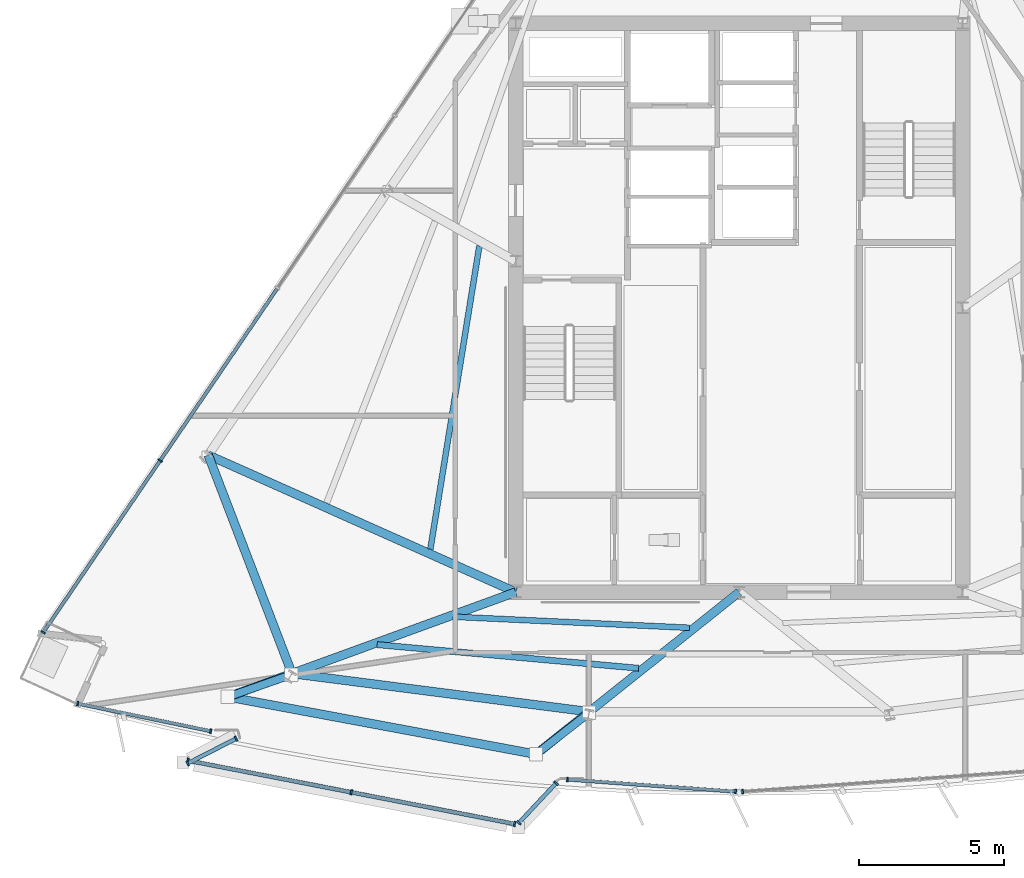
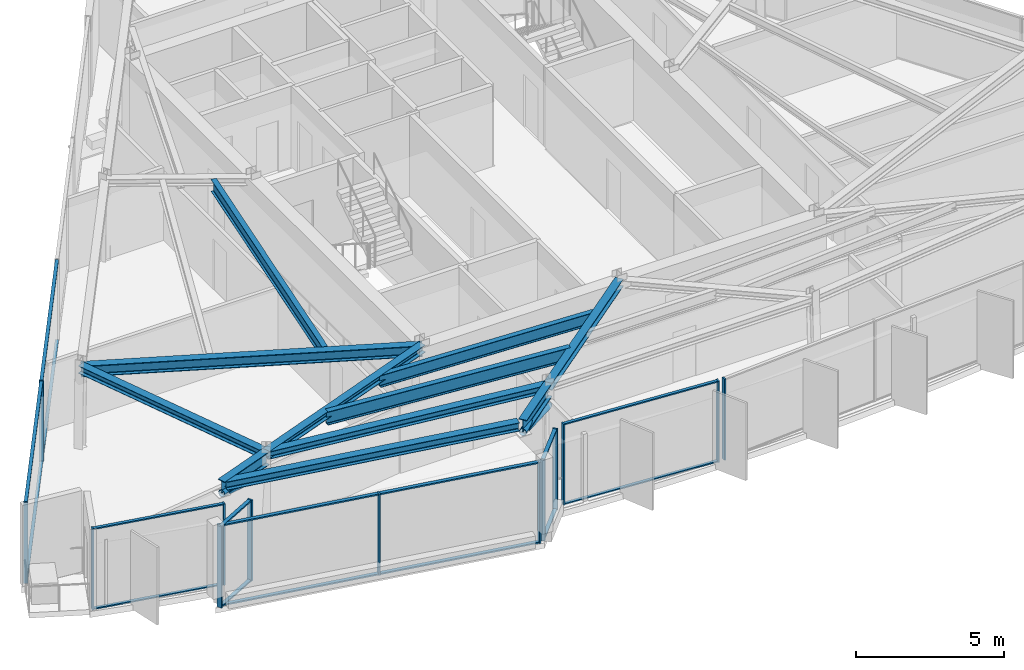
# One storey, part 2 of 13: 32 members, 11 beams, 7 elements without a shape of their own.
"""IFC4 building model written with IfcOpenShell, lengths in metres."""

import ifcopenshell
import ifcopenshell.guid

model = None  # the IFC model being written
_history = None  # IfcOwnerHistory: only IFC2X3 demands one
_inside = {}  # id of a spatial element -> (the spatial element, [elements in it])
_under = {}  # id of a project, library or spatial element -> (it, [spatial elements below it])
_declared = {}  # id of a project -> (the project, [libraries it declares])
_typed = {}  # id of a type object -> (the type object, [elements of that type])
_made_of = {}  # id of a material, layer set ... -> (it, [elements and type objects made of it])


def new_model(schema):
    """Start an empty IFC model of exactly this schema.

    Asked for "IFC4X3", IfcOpenShell would pick the latest addendum, in which some entities
    have other attributes; the version numbers below select the first issue.
    IFC2X3 requires an IfcOwnerHistory on every rooted entity: one is made here for all.
    """
    global model, _history
    if schema == "IFC4X3":
        model = ifcopenshell.file(schema_version=(4, 3, 0, 0))
    else:
        model = ifcopenshell.file(schema=schema)
    _inside.clear()
    _under.clear()
    _declared.clear()
    _typed.clear()
    _made_of.clear()
    _history = None
    if model.schema == "IFC2X3":
        org = make("IfcOrganization", Name="unknown")
        user = make(
            "IfcPersonAndOrganization",
            ThePerson=make("IfcPerson", FamilyName="unknown"),
            TheOrganization=org,
        )
        app = make(
            "IfcApplication",
            ApplicationDeveloper=org,
            Version="unknown",
            ApplicationFullName="unknown",
            ApplicationIdentifier="unknown",
        )
        _history = make(
            "IfcOwnerHistory",
            OwningUser=user,
            OwningApplication=app,
            ChangeAction="ADDED",
            CreationDate=0,
        )
    return model


def make(cls, **values):
    """One entity of the class cls with the attributes given. An attribute that is None is left unset."""
    return model.create_entity(
        cls, **{name: value for name, value in values.items() if value is not None}
    )


def rooted(cls, **values):
    """An entity with a GlobalId (a new one), such as an element, a storey or a relation."""
    return make(cls, GlobalId=ifcopenshell.guid.new(), OwnerHistory=_history, **values)


def si_unit(unit_type, name, prefix=None):
    """IfcSIUnit, for example si_unit("LENGTHUNIT", "METRE", prefix="MILLI")."""
    return make("IfcSIUnit", UnitType=unit_type, Prefix=prefix, Name=name)


def assignment(units):
    """IfcUnitAssignment: the units of a project."""
    return None if units is None else make("IfcUnitAssignment", Units=units)


def point(xyz):
    """IfcCartesianPoint."""
    return None if xyz is None else make("IfcCartesianPoint", Coordinates=xyz)


def direction(xyz):
    """IfcDirection."""
    return None if xyz is None else make("IfcDirection", DirectionRatios=xyz)


def frame(location, z_axis=None, x_axis=None):
    """IfcAxis2Placement3D, a coordinate frame: its origin and axes. An axis left out is left unset."""
    return make(
        "IfcAxis2Placement3D",
        Location=point(location),
        Axis=direction(z_axis),
        RefDirection=direction(x_axis),
    )


def frame_2d(location, x_axis=None):
    """IfcAxis2Placement2D, a coordinate frame in the plane: its origin and x axis."""
    return make(
        "IfcAxis2Placement2D", Location=point(location), RefDirection=direction(x_axis)
    )


def origin():
    """The frame at (0, 0, 0) with its axes left unset."""
    return frame((0.0, 0.0, 0.0))


def origin_2d():
    """The frame at (0, 0) in the plane with its x axis left unset."""
    return frame_2d((0.0, 0.0))


def place(relative_to, where):
    """IfcLocalPlacement: puts the frame where relative to a parent placement (None: the world)."""
    return make(
        "IfcLocalPlacement", PlacementRelTo=relative_to, RelativePlacement=where
    )


def context(
    kind, dimensions, precision=None, world=None, true_north=None, identifier=None
):
    """IfcGeometricRepresentationContext, for example the 3D "Model" context."""
    return make(
        "IfcGeometricRepresentationContext",
        ContextIdentifier=identifier,
        ContextType=kind,
        CoordinateSpaceDimension=dimensions,
        Precision=precision,
        WorldCoordinateSystem=world,
        TrueNorth=true_north,
    )


def subcontext(parent, identifier, kind, view, scale=None):
    """IfcGeometricRepresentationSubContext, for example "Body" below "Model"."""
    return make(
        "IfcGeometricRepresentationSubContext",
        ContextIdentifier=identifier,
        ContextType=kind,
        ParentContext=parent,
        TargetScale=scale,
        TargetView=view,
    )


def project(units=None, contexts=None):
    """IfcProject with its units and contexts."""
    return rooted(
        "IfcProject",
        Name="project",
        RepresentationContexts=contexts,
        UnitsInContext=assignment(units),
    )


def spatial(cls, under=None, at=None, **own):
    """A site, building, storey or space (cls), placed at a placement, below another one or the project."""
    s = rooted(cls, ObjectPlacement=at, **own)
    if under is not None:
        _under.setdefault(under.id(), (under, []))[1].append(s)
    return s


def profile(cls, at=None, kind="AREA", **sizes):
    """A parametric profile (cls). Its sizes go by their IFC names, for example OverallWidth=200.0."""
    return make(cls, ProfileType=kind, Position=at, **sizes)


def rectangle(**sizes):
    """IfcRectangleProfileDef."""
    return profile("IfcRectangleProfileDef", **sizes)


def hollow_circle(**sizes):
    """IfcCircleHollowProfileDef."""
    return profile("IfcCircleHollowProfileDef", **sizes)


def i_section(**sizes):
    """IfcIShapeProfileDef."""
    return profile("IfcIShapeProfileDef", **sizes)


def extrude(swept, where, along, depth):
    """IfcExtrudedAreaSolid: the profile swept, set in the frame where, extruded along a direction by depth."""
    return make(
        "IfcExtrudedAreaSolid",
        SweptArea=swept,
        Position=where,
        ExtrudedDirection=direction(along),
        Depth=depth,
    )


def shape(context_of_items, identifier, shape_type, items):
    """IfcShapeRepresentation: the items that make up one representation, for example the "Body"."""
    return make(
        "IfcShapeRepresentation",
        ContextOfItems=context_of_items,
        RepresentationIdentifier=identifier,
        RepresentationType=shape_type,
        Items=items,
    )


def material(Name=None, Category=None):
    """IfcMaterial."""
    return make("IfcMaterial", Name=Name, Category=Category)


def material_profile(
    of_material, cross_section, Name=None, Category=None, Priority=None
):
    """IfcMaterialProfile: a cross section and its material."""
    return make(
        "IfcMaterialProfile",
        Name=Name,
        Material=of_material,
        Profile=cross_section,
        Priority=Priority,
        Category=Category,
    )


def profile_set(profiles, Name=None, composite=None):
    """IfcMaterialProfileSet."""
    return make(
        "IfcMaterialProfileSet",
        Name=Name,
        MaterialProfiles=profiles,
        CompositeProfile=composite,
    )


def made_of(thing, what):
    """Note that an element or type object is made of a material, layer set ...; save() writes the relation."""
    if what is not None:
        _made_of.setdefault(what.id(), (what, []))[1].append(thing)
    return thing


def type_object(cls, material=None, **own):
    """A type object (cls), such as IfcWallType, which elements share."""
    return made_of(rooted(cls, **own), material)


def element(
    cls,
    number,
    at=None,
    inside=None,
    cuts=None,
    type_object=None,
    material=None,
    context=None,
    identifier="Body",
    shape_type=None,
    held_by="IfcProductDefinitionShape",
    body=None,
    shapes=None,
    **own,
):
    """One element of the class cls, such as IfcWall. Its Tag is "e" and its number.

    at: its placement. inside: the storey or other place that contains it. cuts: it is an
    opening in that element (IfcRelVoidsElement). A single representation is given by context,
    identifier, shape_type and body (its items); several are given by shapes. held_by: the class
    of the entity that holds the representations. save() writes the other relations.
    """
    e = rooted(cls, Tag="e%d" % number, ObjectPlacement=at, **own)
    if body is not None:
        shapes = [shape(context, identifier, shape_type, body)]
    if shapes is not None:
        e.Representation = make(held_by, Representations=shapes)
    if inside is not None:
        _inside.setdefault(inside.id(), (inside, []))[1].append(e)
    if cuts is not None:
        rooted(
            "IfcRelVoidsElement", RelatingBuildingElement=cuts, RelatedOpeningElement=e
        )
    if type_object is not None:
        _typed.setdefault(type_object.id(), (type_object, []))[1].append(e)
    return made_of(e, material)


def aggregate(whole, parts):
    """IfcRelAggregates: a whole, such as a stair, and the parts it consists of."""
    return rooted("IfcRelAggregates", RelatingObject=whole, RelatedObjects=parts)


def save(model, path):
    """Write the relations noted so far, then the file.

    IfcRelAggregates (storeys below a building ...), IfcRelContainedInSpatialStructure (elements
    in a storey), IfcRelDefinesByType, IfcRelAssociatesMaterial and IfcRelDeclares: one each for
    every whole, place, type object, material and project.
    """
    for whole, parts in _under.values():
        aggregate(whole, parts)
    for where, things in _inside.values():
        rooted(
            "IfcRelContainedInSpatialStructure",
            RelatedElements=things,
            RelatingStructure=where,
        )
    for kind, things in _typed.values():
        rooted("IfcRelDefinesByType", RelatedObjects=things, RelatingType=kind)
    for what, things in _made_of.values():
        rooted("IfcRelAssociatesMaterial", RelatedObjects=things, RelatingMaterial=what)
    for by, libraries in _declared.values():
        rooted("IfcRelDeclares", RelatingContext=by, RelatedDefinitions=libraries)
    model.write(path)


model = new_model("IFC4")

# Units and contexts
model_context = context("Model", 3, precision=1e-05, world=origin(), true_north=direction((0.0, 1.0)))
body_context = subcontext(model_context, "Body", "Model", "MODEL_VIEW")
ifc_project = project(units=[si_unit("LENGTHUNIT", "METRE"), si_unit("AREAUNIT", "SQUARE_METRE"), si_unit("VOLUMEUNIT", "CUBIC_METRE"), si_unit("PLANEANGLEUNIT", "RADIAN"), si_unit("MASSUNIT", "GRAM", prefix="KILO")], contexts=[model_context])

# Site, building, storey
site_placement = place(None, origin())
site = spatial("IfcSite", under=ifc_project, at=site_placement, CompositionType="ELEMENT")
building_placement = place(site_placement, origin())
building = spatial("IfcBuilding", under=site, at=building_placement, Name="Savorim Split Tower", CompositionType="ELEMENT")
storey_placement = place(building_placement, frame((0.0, 0.0, 272.39990234375)))
storey = spatial("IfcBuildingStorey", under=building, at=storey_placement, Name="L72", CompositionType="ELEMENT", Elevation=272.39990234375)

# Beams
ifc_material_1 = material(Name="Steel S355", Category="steel")
ifc_material_profile_1 = material_profile(ifc_material_1, i_section(OverallWidth=0.199951171875, OverallDepth=0.5, WebThickness=0.01025390625, FlangeThickness=0.01611328125, FilletRadius=0.02099609375, at=origin_2d()), Name="IPE 500")
ifc_profile_set_1 = profile_set([ifc_material_profile_1], Name="Steel S355")
beam_type_1 = type_object("IfcBeamType", Name="BM-JST-IPE500", PredefinedType="JOIST", material=ifc_profile_set_1)
beam_1_placement = place(storey_placement, frame((-9.85302734375, -10.24951171875, 3.10009765625), z_axis=(0.998915199967, -0.046566331983, 0.0), x_axis=(0.046566331983, 0.998915199967, 0.0)))
element("IfcBeam", 1, at=beam_1_placement, inside=storey, type_object=beam_type_1, Name="L72 Secondary Floor Joist JS-02", PredefinedType="JOIST", context=body_context, shape_type="SweptSolid", body=[
    extrude(i_section(OverallWidth=0.199951171875, OverallDepth=0.5, WebThickness=0.01025390625, FlangeThickness=0.01611328125, FilletRadius=0.02099609375, at=origin_2d()), origin(), (0.0, 0.0, 1.0), 8.152587890625),
])
beam_2_placement = place(storey_placement, frame((-8.95263671875, 2.529296875, 3.10009765625), z_axis=(-0.159538447655, -0.987191715788, 0.0), x_axis=(0.987191715788, -0.159538447655, 0.0)))
element("IfcBeam", 2, at=beam_2_placement, inside=storey, type_object=beam_type_1, Name="L72 Secondary Floor Joist JS-11", PredefinedType="JOIST", context=body_context, shape_type="SweptSolid", body=[
    extrude(i_section(OverallWidth=0.199951171875, OverallDepth=0.5, WebThickness=0.01025390625, FlangeThickness=0.01611328125, FilletRadius=0.02099609375, at=origin_2d()), origin(), (0.0, 0.0, 1.0), 10.5849609375),
])
ifc_material_profile_2 = material_profile(ifc_material_1, i_section(OverallWidth=0.2099609375, OverallDepth=0.550048828125, WebThickness=0.010986328125, FlangeThickness=0.01708984375, FilletRadius=0.02392578125, at=origin_2d()), Name="IPE 550")
ifc_profile_set_2 = profile_set([ifc_material_profile_2], Name="Steel S355")
beam_type_2 = type_object("IfcBeamType", Name="BM-JST-IPE550", PredefinedType="JOIST", material=ifc_profile_set_2)
beam_3_placement = place(storey_placement, frame((-12.474609375, -11.210693359375, 3.0751953125), z_axis=(0.995953812933, -0.089866581685, 0.0), x_axis=(0.089866581685, 0.995953812933, 0.0)))
element("IfcBeam", 3, at=beam_3_placement, inside=storey, type_object=beam_type_2, Name="L72 Secondary Floor Joist JS-01", PredefinedType="JOIST", context=body_context, shape_type="SweptSolid", body=[
    extrude(i_section(OverallWidth=0.2099609375, OverallDepth=0.550048828125, WebThickness=0.010986328125, FlangeThickness=0.01708984375, FilletRadius=0.02392578125, at=origin_2d()), origin(), (0.0, 0.0, 1.0), 9.046630859375),
])
ifc_material_profile_3 = material_profile(ifc_material_1, i_section(OverallWidth=0.300048828125, OverallDepth=0.300048828125, WebThickness=0.010986328125, FlangeThickness=0.01904296875, FilletRadius=0.027099609375, at=origin_2d()), Name="HEB 300")
ifc_profile_set_3 = profile_set([ifc_material_profile_3], Name="Steel S355")
beam_type_3 = type_object("IfcBeamType", Name="BM-PRI-HEB300", PredefinedType="BEAM", material=ifc_profile_set_3)
beam_4_placement = place(storey_placement, frame((-15.409423828125, -12.20654296875, 3.2001953125), z_axis=(0.939668250561, 0.342087092547, 0.0), x_axis=(-0.342087092547, 0.939668250561, 0.0)))
element("IfcBeam", 4, at=beam_4_placement, inside=storey, type_object=beam_type_3, Name="L72 Primary Floor Girder RG-01", PredefinedType="BEAM", context=body_context, shape_type="SweptSolid", body=[
    extrude(i_section(OverallWidth=0.300048828125, OverallDepth=0.300048828125, WebThickness=0.010986328125, FlangeThickness=0.01904296875, FilletRadius=0.027099609375, at=origin_2d()), origin(), (0.0, 0.0, 1.0), 8.204345703125),
])
beam_5_placement = place(storey_placement, frame((-5.16455078125, -13.521728515625, 3.2001953125), z_axis=(0.781592820708, 0.623788956794, 0.0), x_axis=(-0.623788956794, 0.781592820708, 0.0)))
element("IfcBeam", 5, at=beam_5_placement, inside=storey, type_object=beam_type_3, Name="L72 Primary Floor Girder RG-02", PredefinedType="BEAM", context=body_context, shape_type="SweptSolid", body=[
    extrude(i_section(OverallWidth=0.300048828125, OverallDepth=0.300048828125, WebThickness=0.010986328125, FlangeThickness=0.01904296875, FilletRadius=0.027099609375, at=origin_2d()), origin(), (0.0, 0.0, 1.0), 6.607666015625),
])
ifc_material_profile_4 = material_profile(ifc_material_1, i_section(OverallWidth=0.300048828125, OverallDepth=0.449951171875, WebThickness=0.013916015625, FlangeThickness=0.02587890625, FilletRadius=0.027099609375, at=origin_2d()), Name="HEB 450")
ifc_profile_set_4 = profile_set([ifc_material_profile_4], Name="Steel S355")
beam_type_4 = type_object("IfcBeamType", Name="BM-PRI-HEB450", PredefinedType="BEAM", material=ifc_profile_set_4)
beam_6_placement = place(storey_placement, frame((-18.2958984375, -4.678955078125, 3.125), z_axis=(0.913438836975, -0.406976032593, 0.0), x_axis=(0.406976032593, 0.913438836975, 0.0)))
element("IfcBeam", 6, at=beam_6_placement, inside=storey, type_object=beam_type_4, Name="L72 Primary Floor Girder RG-10", PredefinedType="BEAM", context=body_context, shape_type="SweptSolid", body=[
    extrude(i_section(OverallWidth=0.300048828125, OverallDepth=0.449951171875, WebThickness=0.013916015625, FlangeThickness=0.02587890625, FilletRadius=0.027099609375, at=origin_2d()), origin(), (0.0, 0.0, 1.0), 11.60009765625),
])
ifc_material_profile_5 = material_profile(ifc_material_1, i_section(OverallWidth=0.300048828125, OverallDepth=0.550048828125, WebThickness=0.014892578125, FlangeThickness=0.029052734375, FilletRadius=0.027099609375, at=origin_2d()), Name="HEB 550")
ifc_profile_set_5 = profile_set([ifc_material_profile_5], Name="Steel S355")
beam_type_5 = type_object("IfcBeamType", Name="BM-PRI-HEB550", PredefinedType="BEAM", material=ifc_profile_set_5)
for number, where, z_axis, x_axis, name in (
    (7, (-15.409423828125, -12.20654296875, 3.0751953125), (-0.939662926873, -0.342101715665, 0.0), (0.342101715665, -0.939662926873, 0.0), "L72 Cantilevered Lounge Rib 1"),
    (8, (-5.16455078125, -13.521728515625, 3.0751953125), (-0.781547419119, -0.623845839666, 0.0), (0.623845839666, -0.781547419119, 0.0), "L72 Cantilevered Lounge Rib 2"),
):
    element("IfcBeam", number, at=place(storey_placement, frame(where, z_axis=z_axis, x_axis=x_axis)), inside=storey, type_object=beam_type_5, Name=name, PredefinedType="BEAM", context=body_context, shape_type="SweptSolid", body=[
        extrude(i_section(OverallWidth=0.300048828125, OverallDepth=0.550048828125, WebThickness=0.014892578125, FlangeThickness=0.029052734375, FilletRadius=0.027099609375, at=origin_2d()), origin(), (0.0, 0.0, 1.0), 2.35009765625),
    ])
ifc_material_profile_6 = material_profile(ifc_material_1, i_section(OverallWidth=0.300048828125, OverallDepth=0.31005859375, WebThickness=0.009033203125, FlangeThickness=0.015380859375, FilletRadius=0.027099609375, at=origin_2d()), Name="HEA 320")
ifc_profile_set_6 = profile_set([ifc_material_profile_6], Name="Steel S355")
beam_type_6 = type_object("IfcBeamType", Name="BM-SPN-HEA320", PredefinedType="SPANDREL", material=ifc_profile_set_6)
beam_7_placement = place(storey_placement, frame((-15.409423828125, -12.20654296875, 3.195068359375), z_axis=(0.991860399348, -0.127330075812, 0.0), x_axis=(0.127330075812, 0.991860399348, 0.0)))
element("IfcBeam", 9, at=beam_7_placement, inside=storey, type_object=beam_type_6, Name="L72 Perimeter Spandrel Beam 1", PredefinedType="SPANDREL", context=body_context, shape_type="SweptSolid", body=[
    extrude(i_section(OverallWidth=0.300048828125, OverallDepth=0.31005859375, WebThickness=0.009033203125, FlangeThickness=0.015380859375, FilletRadius=0.027099609375, at=origin_2d()), origin(), (0.0, 0.0, 1.0), 10.328857421875),
])
beam_8_placement = place(storey_placement, frame((-18.2958984375, -4.678955078125, 3.195068359375), z_axis=(0.358033260747, -0.933708832666, 0.0), x_axis=(0.933708832666, 0.358033260747, 0.0)))
element("IfcBeam", 10, at=beam_8_placement, inside=storey, type_object=beam_type_6, Name="L72 Perimeter Spandrel Beam 10", PredefinedType="SPANDREL", context=body_context, shape_type="SweptSolid", body=[
    extrude(i_section(OverallWidth=0.300048828125, OverallDepth=0.31005859375, WebThickness=0.009033203125, FlangeThickness=0.015380859375, FilletRadius=0.027099609375, at=origin_2d()), origin(), (0.0, 0.0, 1.0), 8.06201171875),
])
ifc_material_profile_7 = material_profile(ifc_material_1, i_section(OverallWidth=0.300048828125, OverallDepth=0.35009765625, WebThickness=0.010009765625, FlangeThickness=0.017578125, FilletRadius=0.027099609375, at=origin_2d()), Name="HEA 360")
ifc_profile_set_7 = profile_set([ifc_material_profile_7], Name="Steel S355")
beam_type_7 = type_object("IfcBeamType", Name="BM-SPN-HEA360", PredefinedType="SPANDREL", material=ifc_profile_set_7)
beam_9_placement = place(storey_placement, frame((-17.460205078125, -13.039794921875, 3.175048828125), z_axis=(0.983094078316, -0.183101155595, 0.0), x_axis=(0.183101155595, 0.983094078316, 0.0)))
element("IfcBeam", 11, at=beam_9_placement, inside=storey, type_object=beam_type_7, Name="L72 Cantilevered Lounge Front Edge Beam", PredefinedType="SPANDREL", context=body_context, shape_type="SweptSolid", body=[
    extrude(i_section(OverallWidth=0.300048828125, OverallDepth=0.35009765625, WebThickness=0.010009765625, FlangeThickness=0.017578125, FilletRadius=0.027099609375, at=origin_2d()), origin(), (0.0, 0.0, 1.0), 10.47900390625),
])

# Curtain wall, members
ifc_material_2 = material(Name="Dark Ceramic-Fritted Insulated Glass", Category="glass")
curtain_wall_type_1 = type_object("IfcCurtainWallType", Name="CW-TWR-FRIT-B", PredefinedType="NOTDEFINED", material=ifc_material_2)
curtain_wall_1_placement = place(storey_placement, origin())
curtain_wall_1 = element("IfcCurtainWall", 12, at=curtain_wall_1_placement, inside=storey, type_object=curtain_wall_type_1, Name="L72 Curtain Wall CW-L72-SF1A", PredefinedType="NOTDEFINED")
ifc_material_3 = material(Name="Charcoal Anodised Aluminium", Category="aluminium")
ifc_material_profile_8 = material_profile(ifc_material_3, rectangle(XDim=0.159912109375, YDim=0.06005859375, at=origin_2d()), Name="ALU-M 160x60")
ifc_profile_set_8 = profile_set([ifc_material_profile_8], Name="Charcoal Anodised Aluminium")
member_type_1 = type_object("IfcMemberType", Name="CWM-160x60", PredefinedType="MULLION", material=ifc_profile_set_8)
member_1_placement = place(storey_placement, frame((-22.79541015625, -13.24169921875, 0.0), z_axis=(0.0, 0.0, 1.0), x_axis=(0.203206540915, 0.979135895435, 0.0)))
member_1 = element("IfcMember", 13, at=member_1_placement, type_object=member_type_1, Name="CW-03 mullion 1", PredefinedType="MULLION", context=body_context, shape_type="SweptSolid", body=[
    extrude(rectangle(XDim=0.159912109375, YDim=0.06005859375, at=origin_2d()), origin(), (0.0, 0.0, 1.0), 3.35009765625),
])
member_2_placement = place(storey_placement, frame((-18.210205078125, -14.193359375, 0.0), z_axis=(0.0, 0.0, 1.0), x_axis=(0.203206540915, 0.979135895435, 0.0)))
member_2 = element("IfcMember", 14, at=member_2_placement, type_object=member_type_1, Name="CW-03 mullion 2", PredefinedType="MULLION", context=body_context, shape_type="SweptSolid", body=[
    extrude(rectangle(XDim=0.159912109375, YDim=0.06005859375, at=origin_2d()), origin(), (0.0, 0.0, 1.0), 3.35009765625),
])

curtain_wall_2_placement = place(storey_placement, origin())
curtain_wall_2 = element("IfcCurtainWall", 15, at=curtain_wall_2_placement, inside=storey, type_object=curtain_wall_type_1, Name="L72 Curtain Wall CW-L72-SF2A", PredefinedType="NOTDEFINED")
member_3_placement = place(storey_placement, frame((-5.917236328125, -15.8583984375, 0.0), z_axis=(0.0, 0.0, 1.0), x_axis=(0.071571445854, 0.997435475677, 0.0)))
member_3 = element("IfcMember", 16, at=member_3_placement, type_object=member_type_1, Name="CW-03 mullion 1", PredefinedType="MULLION", context=body_context, shape_type="SweptSolid", body=[
    extrude(rectangle(XDim=0.159912109375, YDim=0.06005859375, at=origin_2d()), origin(), (0.0, 0.0, 1.0), 3.35009765625),
])
member_4_placement = place(storey_placement, frame((-0.12109375, -16.274169921875, 0.0), z_axis=(0.0, 0.0, 1.0), x_axis=(0.071571445854, 0.997435475677, 0.0)))
member_4 = element("IfcMember", 17, at=member_4_placement, type_object=member_type_1, Name="CW-03 mullion 2", PredefinedType="MULLION", context=body_context, shape_type="SweptSolid", body=[
    extrude(rectangle(XDim=0.159912109375, YDim=0.06005859375, at=origin_2d()), origin(), (0.0, 0.0, 1.0), 3.35009765625),
])

# Curtain wall, member
curtain_wall_3_placement = place(storey_placement, origin())
curtain_wall_3 = element("IfcCurtainWall", 18, at=curtain_wall_3_placement, inside=storey, type_object=curtain_wall_type_1, Name="L72 Curtain Wall CW-L72-SF3A", PredefinedType="NOTDEFINED")
member_5_placement = place(storey_placement, frame((0.12109375, -16.274169921875, 0.0), z_axis=(0.0, 0.0, 1.0), x_axis=(-0.071564439004, 0.997435978432, 0.0)))
member_5 = element("IfcMember", 19, at=member_5_placement, type_object=member_type_1, Name="CW-03 mullion 1", PredefinedType="MULLION", context=body_context, shape_type="SweptSolid", body=[
    extrude(rectangle(XDim=0.159912109375, YDim=0.06005859375, at=origin_2d()), origin(), (0.0, 0.0, 1.0), 3.35009765625),
])
aggregate(curtain_wall_3, [member_5])

# Curtain wall, members
curtain_wall_4_placement = place(storey_placement, origin())
curtain_wall_4 = element("IfcCurtainWall", 20, at=curtain_wall_4_placement, inside=storey, type_object=curtain_wall_type_1, Name="L72 Curtain Wall CW-L72-WEST", PredefinedType="NOTDEFINED")
member_6_placement = place(storey_placement, frame((-19.951904296875, -4.8671875, 0.0), z_axis=(0.0, 0.0, 1.0), x_axis=(0.826817472755, -0.562470325215, 0.0)))
member_6 = element("IfcMember", 21, at=member_6_placement, type_object=member_type_1, Name="CW-03 mullion 4", PredefinedType="MULLION", context=body_context, shape_type="SweptSolid", body=[
    extrude(rectangle(XDim=0.159912109375, YDim=0.06005859375, at=origin_2d()), origin(), (0.0, 0.0, 1.0), 3.35009765625),
])
member_7_placement = place(storey_placement, frame((-23.97998046875, -10.78857421875, 0.0), z_axis=(0.0, 0.0, 1.0), x_axis=(0.826817472755, -0.562470325215, 0.0)))
member_7 = element("IfcMember", 22, at=member_7_placement, type_object=member_type_1, Name="CW-03 mullion 5", PredefinedType="MULLION", context=body_context, shape_type="SweptSolid", body=[
    extrude(rectangle(XDim=0.159912109375, YDim=0.06005859375, at=origin_2d()), origin(), (0.0, 0.0, 1.0), 3.35009765625),
])

curtain_wall_type_2 = type_object("IfcCurtainWallType", Name="CW-BAY-LOUNGE", PredefinedType="NOTDEFINED", material=ifc_material_2)
curtain_wall_5_placement = place(storey_placement, origin())
curtain_wall_5 = element("IfcCurtainWall", 23, at=curtain_wall_5_placement, inside=storey, type_object=curtain_wall_type_2, Name="L72 Curtain Wall CW-L72-BAYF", PredefinedType="NOTDEFINED")
ifc_material_profile_9 = material_profile(ifc_material_3, rectangle(XDim=0.179931640625, YDim=0.06494140625, at=origin_2d()), Name="ALU-M 180x65")
ifc_profile_set_9 = profile_set([ifc_material_profile_9], Name="Charcoal Anodised Aluminium")
member_type_2 = type_object("IfcMemberType", Name="CWM-180x65", PredefinedType="MULLION", material=ifc_profile_set_9)
member_8_placement = place(storey_placement, frame((-18.999267578125, -15.20458984375, 0.0), z_axis=(0.0, 0.0, 1.0), x_axis=(0.190519987082, 0.98168331682, 0.0)))
member_8 = element("IfcMember", 24, at=member_8_placement, type_object=member_type_2, Name="CW-04 mullion 1", PredefinedType="MULLION", context=body_context, shape_type="SweptSolid", body=[
    extrude(rectangle(XDim=0.179931640625, YDim=0.06494140625, at=origin_2d()), origin(), (0.0, 0.0, 1.0), 3.35009765625),
])
member_9_placement = place(storey_placement, frame((-13.368896484375, -16.29736328125, 0.0), z_axis=(0.0, 0.0, 1.0), x_axis=(0.190519987082, 0.98168331682, 0.0)))
member_9 = element("IfcMember", 25, at=member_9_placement, type_object=member_type_2, Name="CW-04 mullion 2", PredefinedType="MULLION", context=body_context, shape_type="SweptSolid", body=[
    extrude(rectangle(XDim=0.179931640625, YDim=0.06494140625, at=origin_2d()), origin(), (0.0, 0.0, 1.0), 3.35009765625),
])
member_10_placement = place(storey_placement, frame((-7.738525390625, -17.39013671875, 0.0), z_axis=(0.0, 0.0, 1.0), x_axis=(0.190519987082, 0.98168331682, 0.0)))
member_10 = element("IfcMember", 26, at=member_10_placement, type_object=member_type_2, Name="CW-04 mullion 3", PredefinedType="MULLION", context=body_context, shape_type="SweptSolid", body=[
    extrude(rectangle(XDim=0.179931640625, YDim=0.06494140625, at=origin_2d()), origin(), (0.0, 0.0, 1.0), 3.35009765625),
])

curtain_wall_6_placement = place(storey_placement, origin())
curtain_wall_6 = element("IfcCurtainWall", 27, at=curtain_wall_6_placement, inside=storey, type_object=curtain_wall_type_2, Name="L72 Curtain Wall CW-L72-BAYW", PredefinedType="NOTDEFINED")
member_11_placement = place(storey_placement, frame((-17.335693359375, -14.44775390625, 0.0), z_axis=(0.0, 0.0, 1.0), x_axis=(0.455832046827, -0.890065809413, 0.0)))
member_11 = element("IfcMember", 28, at=member_11_placement, type_object=member_type_2, Name="CW-04 mullion 1", PredefinedType="MULLION", context=body_context, shape_type="SweptSolid", body=[
    extrude(rectangle(XDim=0.179931640625, YDim=0.06494140625, at=origin_2d()), origin(), (0.0, 0.0, 1.0), 3.35009765625),
])
member_12_placement = place(storey_placement, frame((-19.00439453125, -15.302490234375, 0.0), z_axis=(0.0, 0.0, 1.0), x_axis=(0.455832046827, -0.890065809413, 0.0)))
member_12 = element("IfcMember", 29, at=member_12_placement, type_object=member_type_2, Name="CW-04 mullion 2", PredefinedType="MULLION", context=body_context, shape_type="SweptSolid", body=[
    extrude(rectangle(XDim=0.179931640625, YDim=0.06494140625, at=origin_2d()), origin(), (0.0, 0.0, 1.0), 3.35009765625),
])

curtain_wall_7_placement = place(storey_placement, origin())
curtain_wall_7 = element("IfcCurtainWall", 30, at=curtain_wall_7_placement, inside=storey, type_object=curtain_wall_type_2, Name="L72 Curtain Wall CW-L72-BAYE", PredefinedType="NOTDEFINED")
member_13_placement = place(storey_placement, frame((-7.590087890625, -17.352294921875, 0.0), z_axis=(0.0, 0.0, 1.0), x_axis=(-0.729622392738, 0.6838502497, 0.0)))
member_13 = element("IfcMember", 31, at=member_13_placement, type_object=member_type_2, Name="CW-04 mullion 1", PredefinedType="MULLION", context=body_context, shape_type="SweptSolid", body=[
    extrude(rectangle(XDim=0.179931640625, YDim=0.06494140625, at=origin_2d()), origin(), (0.0, 0.0, 1.0), 3.35009765625),
])
member_14_placement = place(storey_placement, frame((-6.307861328125, -15.984130859375, 0.0), z_axis=(0.0, 0.0, 1.0), x_axis=(-0.729622392738, 0.6838502497, 0.0)))
member_14 = element("IfcMember", 32, at=member_14_placement, type_object=member_type_2, Name="CW-04 mullion 2", PredefinedType="MULLION", context=body_context, shape_type="SweptSolid", body=[
    extrude(rectangle(XDim=0.179931640625, YDim=0.06494140625, at=origin_2d()), origin(), (0.0, 0.0, 1.0), 3.35009765625),
])

# Member
ifc_material_profile_10 = material_profile(ifc_material_3, rectangle(XDim=0.1201171875, YDim=0.050048828125, at=origin_2d()), Name="ALU-T 120x50")
ifc_profile_set_10 = profile_set([ifc_material_profile_10], Name="Charcoal Anodised Aluminium")
member_type_3 = type_object("IfcMemberType", Name="CWT-120x50", PredefinedType="USERDEFINED", material=ifc_profile_set_10)
member_15_placement = place(storey_placement, frame((-22.76611328125, -13.247802734375, 0.025146484375), z_axis=(0.979133044379, -0.203220278035, 0.0), x_axis=(0.203220278035, 0.979133044379, 0.0)))
member_15 = element("IfcMember", 33, at=member_15_placement, type_object=member_type_3, Name="CW-03 transom 1.1", ObjectType="TRANSOM", PredefinedType="USERDEFINED", context=body_context, shape_type="SweptSolid", body=[
    extrude(rectangle(XDim=0.1201171875, YDim=0.050048828125, at=origin_2d()), origin(), (0.0, 0.0, 1.0), 4.622802734375),
])

member_16_placement = place(storey_placement, frame((-22.76611328125, -13.247802734375, 3.3251953125), z_axis=(0.979133044379, -0.203220278035, 0.0), x_axis=(0.203220278035, 0.979133044379, 0.0)))
member_16 = element("IfcMember", 34, at=member_16_placement, type_object=member_type_3, Name="CW-03 transom 1.2", ObjectType="TRANSOM", PredefinedType="USERDEFINED", context=body_context, shape_type="SweptSolid", body=[
    extrude(rectangle(XDim=0.1201171875, YDim=0.050048828125, at=origin_2d()), origin(), (0.0, 0.0, 1.0), 4.622802734375),
])

aggregate(curtain_wall_1, [member_1, member_2, member_15, member_16])

member_17_placement = place(storey_placement, frame((-5.887451171875, -15.860595703125, 0.025146484375), z_axis=(0.997435373831, -0.07157286518, 0.0), x_axis=(0.07157286518, 0.997435373831, 0.0)))
member_17 = element("IfcMember", 35, at=member_17_placement, type_object=member_type_3, Name="CW-03 transom 1.1", ObjectType="TRANSOM", PredefinedType="USERDEFINED", context=body_context, shape_type="SweptSolid", body=[
    extrude(rectangle(XDim=0.1201171875, YDim=0.050048828125, at=origin_2d()), origin(), (0.0, 0.0, 1.0), 5.7509765625),
])

member_18_placement = place(storey_placement, frame((-5.887451171875, -15.860595703125, 3.3251953125), z_axis=(0.997435373831, -0.07157286518, 0.0), x_axis=(0.07157286518, 0.997435373831, 0.0)))
member_18 = element("IfcMember", 36, at=member_18_placement, type_object=member_type_3, Name="CW-03 transom 1.2", ObjectType="TRANSOM", PredefinedType="USERDEFINED", context=body_context, shape_type="SweptSolid", body=[
    extrude(rectangle(XDim=0.1201171875, YDim=0.050048828125, at=origin_2d()), origin(), (0.0, 0.0, 1.0), 5.7509765625),
])

aggregate(curtain_wall_2, [member_3, member_4, member_17, member_18])

member_19_placement = place(storey_placement, frame((-15.923828125, 1.053955078125, 0.025146484375), z_axis=(-0.562465450543, -0.826820788893, 0.0), x_axis=(0.826820788893, -0.562465450543, 0.0)))
member_19 = element("IfcMember", 37, at=member_19_placement, type_object=member_type_3, Name="CW-03 transom 3.1", ObjectType="TRANSOM", PredefinedType="USERDEFINED", context=body_context, shape_type="SweptSolid", body=[
    extrude(rectangle(XDim=0.1201171875, YDim=0.050048828125, at=origin_2d()), origin(), (0.0, 0.0, 1.0), 7.131591796875),
])

member_20_placement = place(storey_placement, frame((-15.923828125, 1.053955078125, 3.3251953125), z_axis=(-0.562465450543, -0.826820788893, 0.0), x_axis=(0.826820788893, -0.562465450543, 0.0)))
member_20 = element("IfcMember", 38, at=member_20_placement, type_object=member_type_3, Name="CW-03 transom 3.2", ObjectType="TRANSOM", PredefinedType="USERDEFINED", context=body_context, shape_type="SweptSolid", body=[
    extrude(rectangle(XDim=0.1201171875, YDim=0.050048828125, at=origin_2d()), origin(), (0.0, 0.0, 1.0), 7.131591796875),
])

member_21_placement = place(storey_placement, frame((-19.96875, -4.89208984375, 0.025146484375), z_axis=(-0.562474570512, -0.826814584733, 0.0), x_axis=(0.826814584733, -0.562474570512, 0.0)))
member_21 = element("IfcMember", 39, at=member_21_placement, type_object=member_type_3, Name="CW-03 transom 4.1", ObjectType="TRANSOM", PredefinedType="USERDEFINED", context=body_context, shape_type="SweptSolid", body=[
    extrude(rectangle(XDim=0.1201171875, YDim=0.050048828125, at=origin_2d()), origin(), (0.0, 0.0, 1.0), 7.1015625),
])

member_22_placement = place(storey_placement, frame((-19.96875, -4.89208984375, 3.3251953125), z_axis=(-0.562474570512, -0.826814584733, 0.0), x_axis=(0.826814584733, -0.562474570512, 0.0)))
member_22 = element("IfcMember", 40, at=member_22_placement, type_object=member_type_3, Name="CW-03 transom 4.2", ObjectType="TRANSOM", PredefinedType="USERDEFINED", context=body_context, shape_type="SweptSolid", body=[
    extrude(rectangle(XDim=0.1201171875, YDim=0.050048828125, at=origin_2d()), origin(), (0.0, 0.0, 1.0), 7.1015625),
])

aggregate(curtain_wall_4, [member_6, member_7, member_19, member_20, member_21, member_22])

ifc_material_profile_11 = material_profile(ifc_material_3, rectangle(XDim=0.139892578125, YDim=0.054931640625, at=origin_2d()), Name="ALU-T 140x55")
ifc_profile_set_11 = profile_set([ifc_material_profile_11], Name="Charcoal Anodised Aluminium")
member_type_4 = type_object("IfcMemberType", Name="CWT-140x55", PredefinedType="USERDEFINED", material=ifc_profile_set_11)
member_23_placement = place(storey_placement, frame((-18.96728515625, -15.2109375, 0.027587890625), z_axis=(0.981684116975, -0.190515864112, 0.0), x_axis=(0.190515864112, 0.981684116975, 0.0)))
member_23 = element("IfcMember", 41, at=member_23_placement, type_object=member_type_4, Name="CW-04 transom 1.1", ObjectType="TRANSOM", PredefinedType="USERDEFINED", context=body_context, shape_type="SweptSolid", body=[
    extrude(rectangle(XDim=0.139892578125, YDim=0.054931640625, at=origin_2d()), origin(), (0.0, 0.0, 1.0), 5.67041015625),
])

member_24_placement = place(storey_placement, frame((-18.96728515625, -15.2109375, 3.322509765625), z_axis=(0.981684116975, -0.190515864112, 0.0), x_axis=(0.190515864112, 0.981684116975, 0.0)))
member_24 = element("IfcMember", 42, at=member_24_placement, type_object=member_type_4, Name="CW-04 transom 1.2", ObjectType="TRANSOM", PredefinedType="USERDEFINED", context=body_context, shape_type="SweptSolid", body=[
    extrude(rectangle(XDim=0.139892578125, YDim=0.054931640625, at=origin_2d()), origin(), (0.0, 0.0, 1.0), 5.67041015625),
])

member_25_placement = place(storey_placement, frame((-13.3369140625, -16.3037109375, 0.027587890625), z_axis=(0.98168255416, -0.190523916761, 0.0), x_axis=(0.190523916761, 0.98168255416, 0.0)))
member_25 = element("IfcMember", 43, at=member_25_placement, type_object=member_type_4, Name="CW-04 transom 2.1", ObjectType="TRANSOM", PredefinedType="USERDEFINED", context=body_context, shape_type="SweptSolid", body=[
    extrude(rectangle(XDim=0.139892578125, YDim=0.054931640625, at=origin_2d()), origin(), (0.0, 0.0, 1.0), 5.670166015625),
])

member_26_placement = place(storey_placement, frame((-13.3369140625, -16.3037109375, 3.322509765625), z_axis=(0.98168255416, -0.190523916761, 0.0), x_axis=(0.190523916761, 0.98168255416, 0.0)))
member_26 = element("IfcMember", 44, at=member_26_placement, type_object=member_type_4, Name="CW-04 transom 2.2", ObjectType="TRANSOM", PredefinedType="USERDEFINED", context=body_context, shape_type="SweptSolid", body=[
    extrude(rectangle(XDim=0.139892578125, YDim=0.054931640625, at=origin_2d()), origin(), (0.0, 0.0, 1.0), 5.670166015625),
])

aggregate(curtain_wall_5, [member_8, member_9, member_10, member_23, member_24, member_25, member_26])

member_27_placement = place(storey_placement, frame((-17.364501953125, -14.462646484375, 0.027587890625), z_axis=(-0.89009675282, -0.455771621121, 0.0), x_axis=(0.455771621121, -0.89009675282, 0.0)))
member_27 = element("IfcMember", 45, at=member_27_placement, type_object=member_type_4, Name="CW-04 transom 1.1", ObjectType="TRANSOM", PredefinedType="USERDEFINED", context=body_context, shape_type="SweptSolid", body=[
    extrude(rectangle(XDim=0.139892578125, YDim=0.054931640625, at=origin_2d()), origin(), (0.0, 0.0, 1.0), 1.81005859375),
])

member_28_placement = place(storey_placement, frame((-17.364501953125, -14.462646484375, 3.322509765625), z_axis=(-0.89009675282, -0.455771621121, 0.0), x_axis=(0.455771621121, -0.89009675282, 0.0)))
member_28 = element("IfcMember", 46, at=member_28_placement, type_object=member_type_4, Name="CW-04 transom 1.2", ObjectType="TRANSOM", PredefinedType="USERDEFINED", context=body_context, shape_type="SweptSolid", body=[
    extrude(rectangle(XDim=0.139892578125, YDim=0.054931640625, at=origin_2d()), origin(), (0.0, 0.0, 1.0), 1.81005859375),
])

aggregate(curtain_wall_6, [member_11, member_12, member_27, member_28])

member_29_placement = place(storey_placement, frame((-7.56787109375, -17.32861328125, 0.027587890625), z_axis=(0.683806524561, 0.729663372362, 0.0), x_axis=(-0.729663372362, 0.683806524561, 0.0)))
member_29 = element("IfcMember", 47, at=member_29_placement, type_object=member_type_4, Name="CW-04 transom 1.1", ObjectType="TRANSOM", PredefinedType="USERDEFINED", context=body_context, shape_type="SweptSolid", body=[
    extrude(rectangle(XDim=0.139892578125, YDim=0.054931640625, at=origin_2d()), origin(), (0.0, 0.0, 1.0), 1.81005859375),
])

member_30_placement = place(storey_placement, frame((-7.56787109375, -17.32861328125, 3.322509765625), z_axis=(0.683806524561, 0.729663372362, 0.0), x_axis=(-0.729663372362, 0.683806524561, 0.0)))
member_30 = element("IfcMember", 48, at=member_30_placement, type_object=member_type_4, Name="CW-04 transom 1.2", ObjectType="TRANSOM", PredefinedType="USERDEFINED", context=body_context, shape_type="SweptSolid", body=[
    extrude(rectangle(XDim=0.139892578125, YDim=0.054931640625, at=origin_2d()), origin(), (0.0, 0.0, 1.0), 1.81005859375),
])

aggregate(curtain_wall_7, [member_13, member_14, member_29, member_30])

# Members
ifc_material_profile_12 = material_profile(ifc_material_1, hollow_circle(Radius=0.136474609375, WallThickness=0.01611328125, at=origin_2d()), Name="CHS 273x16")
ifc_profile_set_12 = profile_set([ifc_material_profile_12], Name="Steel S355")
member_type_5 = type_object("IfcMemberType", Name="MBR-CRN-CHS273", PredefinedType="BRACE", material=ifc_profile_set_12)
member_31_placement = place(storey_placement, frame((-15.43310546875, -12.244873046875, 2.4501953125), z_axis=(-0.931899191218, -0.326602130494, 0.157781322608), x_axis=(0.330745016858, -0.943720156521, 0.0)))
element("IfcMember", 49, at=member_31_placement, inside=storey, type_object=member_type_5, Name="L72 Cantilevered Bay Support Strut 1", PredefinedType="BRACE", context=body_context, shape_type="SweptSolid", body=[
    extrude(hollow_circle(Radius=0.136474609375, WallThickness=0.01611328125, at=origin_2d()), origin(), (0.0, 0.0, 1.0), 2.34423828125),
])
member_32_placement = place(storey_placement, frame((-5.17236328125, -13.562255859375, 2.4501953125), z_axis=(-0.778859296245, -0.607096439831, 0.157518600162), x_axis=(0.614771231324, -0.788705479337, 0.0)))
element("IfcMember", 50, at=member_32_placement, inside=storey, type_object=member_type_5, Name="L72 Cantilevered Bay Support Strut 2", PredefinedType="BRACE", context=body_context, shape_type="SweptSolid", body=[
    extrude(hollow_circle(Radius=0.136474609375, WallThickness=0.01611328125, at=origin_2d()), origin(), (0.0, 0.0, 1.0), 2.34814453125),
])

save(model, "model.ifc")
